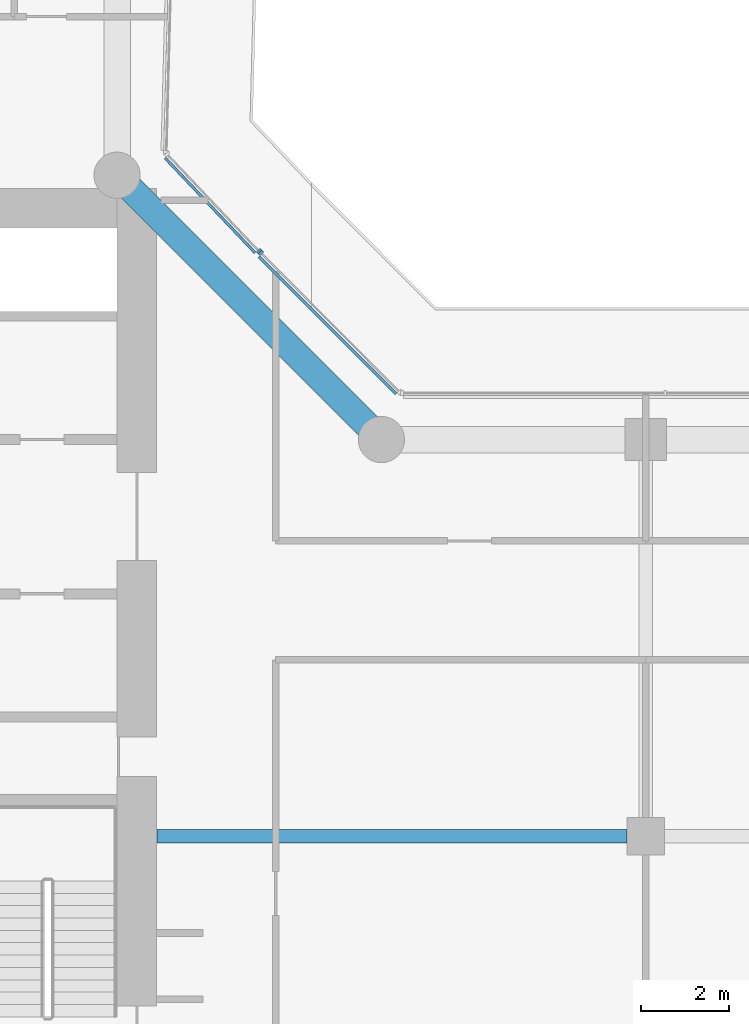
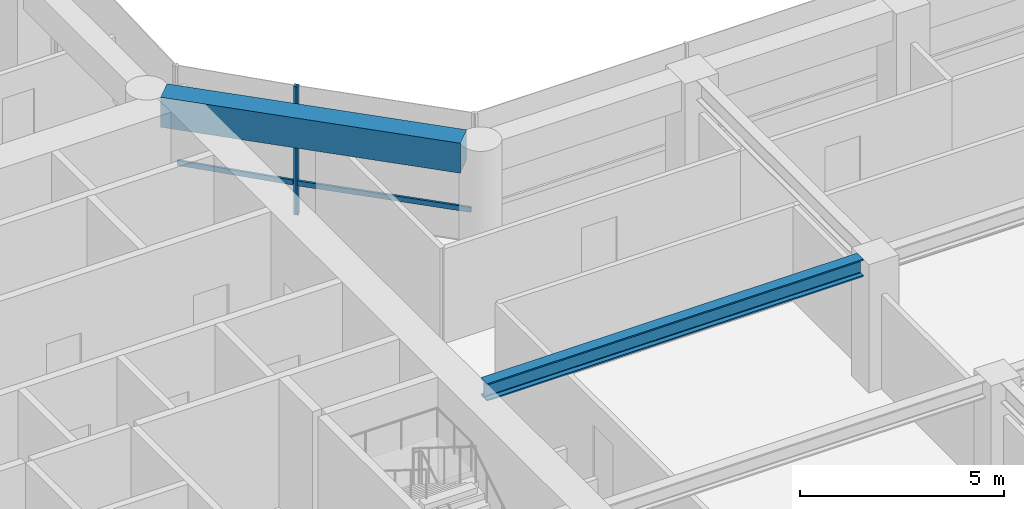
# One storey, part 6 of 28: 4 members, 2 beams, 2 elements without a shape of their own.
"""IFC4 building model written with IfcOpenShell, lengths in metres."""

from ifc_helpers import new_model, si_unit, direction, frame, origin, origin_2d, place, context, subcontext, project, spatial, rectangle, i_section, extrude, material, layer, layer_set, material_profile, profile_set, type_object, element, aggregate, save


model = new_model("IFC4")

# Units and contexts
model_context = context("Model", 3, precision=1e-05, world=origin(), true_north=direction((0.0, 1.0)))
body_context = subcontext(model_context, "Body", "Model", "MODEL_VIEW")
ifc_project = project(units=[si_unit("LENGTHUNIT", "METRE"), si_unit("AREAUNIT", "SQUARE_METRE"), si_unit("VOLUMEUNIT", "CUBIC_METRE"), si_unit("PLANEANGLEUNIT", "RADIAN"), si_unit("MASSUNIT", "GRAM", prefix="KILO")], contexts=[model_context])

# Site, building, storey
site_placement = place(None, origin())
site = spatial("IfcSite", under=ifc_project, at=site_placement, CompositionType="ELEMENT")
building_placement = place(site_placement, origin())
building = spatial("IfcBuilding", under=site, at=building_placement, Name="Welwitschia Terrace Campus", CompositionType="ELEMENT")
storey_placement = place(building_placement, frame((0.0, 0.0, 45.800048828125)))
storey = spatial("IfcBuildingStorey", under=building, at=storey_placement, Name="L10", CompositionType="ELEMENT", Elevation=45.800048828125)

# Beam
ifc_material_1 = material(Name="Steel S355", Category="steel")
ifc_material_profile_1 = material_profile(ifc_material_1, i_section(OverallWidth=0.305908203125, OverallDepth=0.52392578125, WebThickness=0.02099609375, FlangeThickness=0.0400390625, FilletRadius=0.027099609375, at=origin_2d()))
ifc_profile_set_1 = profile_set([ifc_material_profile_1], Name="Steel S355")
beam_type_1 = type_object("IfcBeamType", Name="Interior girder HE 500 M", PredefinedType="BEAM", material=ifc_profile_set_1)
beam_1_placement = place(storey_placement, frame((24.90087890625, 11.0, 3.587890625), z_axis=(1.0, 0.0, 0.0), x_axis=(0.0, 1.0, 0.0)))
element("IfcBeam", 1, at=beam_1_placement, inside=storey, type_object=beam_type_1, Name="Girder GB2", PredefinedType="BEAM", context=body_context, shape_type="SweptSolid", body=[
    extrude(i_section(OverallWidth=0.305908203125, OverallDepth=0.52392578125, WebThickness=0.02099609375, FlangeThickness=0.0400390625, FilletRadius=0.027099609375, at=origin_2d()), origin(), (0.0, 0.0, 1.0), 10.673583984375),
])

# Curtain wall, member
ifc_material_2 = material(Name="Bronze anodised aluminium", Category="aluminium")
ifc_layer = layer(ifc_material_2, 0.1201171875)
ifc_layer_set = layer_set([ifc_layer], Name="Bronze anodised aluminium")
curtain_wall_type = type_object("IfcCurtainWallType", Name="Curtain wall CW2 tower 6000", PredefinedType="NOTDEFINED", material=ifc_layer_set)
curtain_wall_1_placement = place(storey_placement, origin())
curtain_wall_1 = element("IfcCurtainWall", 2, at=curtain_wall_1_placement, inside=storey, type_object=curtain_wall_type, Name="CW L10.7.0", PredefinedType="NOTDEFINED")
ifc_material_3 = material(Name="Bronze anodised aluminium", Category="aluminium")
ifc_material_profile_2 = material_profile(ifc_material_3, rectangle(XDim=0.1201171875, YDim=0.06005859375, at=origin_2d()))
ifc_profile_set_2 = profile_set([ifc_material_profile_2], Name="Bronze anodised aluminium")
member_type_1 = type_object("IfcMemberType", Name="Mullion 60x120", PredefinedType="MULLION", material=ifc_profile_set_2)
member_1_placement = place(storey_placement, frame((27.2607421875, 24.235595703125, 0.0), z_axis=(0.0, 0.0, 1.0), x_axis=(-0.707106781187, -0.707106781187, 0.0)))
member_1 = element("IfcMember", 3, at=member_1_placement, type_object=member_type_1, Name="Mullion L10.7.0.1", PredefinedType="MULLION", context=body_context, shape_type="SweptSolid", body=[
    extrude(rectangle(XDim=0.1201171875, YDim=0.06005859375, at=origin_2d()), origin(), (0.0, 0.0, 1.0), 3.849853515625),
])

curtain_wall_2_placement = place(storey_placement, origin())
curtain_wall_2 = element("IfcCurtainWall", 4, at=curtain_wall_2_placement, inside=storey, type_object=curtain_wall_type, Name="CW L10.8.0", PredefinedType="NOTDEFINED")
member_2_placement = place(storey_placement, frame((27.21875, 24.278564453125, 0.0), z_axis=(0.0, 0.0, 1.0), x_axis=(-0.725374371012, -0.688354575694, 0.0)))
member_2 = element("IfcMember", 5, at=member_2_placement, type_object=member_type_1, Name="Mullion L10.8.0.0", PredefinedType="MULLION", context=body_context, shape_type="SweptSolid", body=[
    extrude(rectangle(XDim=0.1201171875, YDim=0.06005859375, at=origin_2d()), origin(), (0.0, 0.0, 1.0), 3.849853515625),
])

# Beam
ifc_material_4 = material(Name="Concrete C60/75", Category="concrete")
ifc_material_profile_3 = material_profile(ifc_material_4, rectangle(XDim=0.60009765625, YDim=0.89990234375, at=origin_2d()))
ifc_profile_set_3 = profile_set([ifc_material_profile_3], Name="Concrete C60/75")
beam_type_2 = type_object("IfcBeamType", Name="Ring spandrel 600x900", PredefinedType="SPANDREL", material=ifc_profile_set_3)
beam_2_placement = place(storey_placement, frame((29.69482421875, 20.30517578125, 3.39990234375), z_axis=(-0.707106781187, 0.707106781187, 0.0), x_axis=(-0.707106781187, -0.707106781187, 0.0)))
element("IfcBeam", 6, at=beam_2_placement, inside=storey, type_object=beam_type_2, Name="Spandrel SP2", PredefinedType="SPANDREL", context=body_context, shape_type="SweptSolid", body=[
    extrude(rectangle(XDim=0.60009765625, YDim=0.89990234375, at=origin_2d()), origin(), (0.0, 0.0, 1.0), 7.6220703125),
])

# Member
ifc_material_5 = material(Name="Bronze anodised aluminium", Category="aluminium")
ifc_material_profile_4 = material_profile(ifc_material_5, rectangle(XDim=0.06005859375, YDim=0.14990234375, at=origin_2d()))
ifc_profile_set_4 = profile_set([ifc_material_profile_4], Name="Bronze anodised aluminium")
member_type_2 = type_object("IfcMemberType", Name="Transom 60x150", PredefinedType="USERDEFINED", material=ifc_profile_set_4)
member_3_placement = place(storey_placement, frame((30.332275390625, 21.036865234375, 1.0), z_axis=(-0.707134500537, 0.707079060749, 0.0), x_axis=(-0.707079060749, -0.707134500537, 0.0)))
member_3 = element("IfcMember", 7, at=member_3_placement, type_object=member_type_2, Name="Transom L10.7.0", ObjectType="TRANSOM", PredefinedType="USERDEFINED", context=body_context, shape_type="SweptSolid", body=[
    extrude(rectangle(XDim=0.06005859375, YDim=0.14990234375, at=origin_2d()), origin(), (0.0, 0.0, 1.0), 4.40380859375),
])

aggregate(curtain_wall_1, [member_1, member_3])

member_4_placement = place(storey_placement, frame((27.1328125, 24.23828125, 1.0), z_axis=(-0.688344843173, 0.725383606706, 0.0), x_axis=(-0.725383606706, -0.688344843173, 0.0)))
member_4 = element("IfcMember", 8, at=member_4_placement, type_object=member_type_2, Name="Transom L10.8.0", ObjectType="TRANSOM", PredefinedType="USERDEFINED", context=body_context, shape_type="SweptSolid", body=[
    extrude(rectangle(XDim=0.06005859375, YDim=0.14990234375, at=origin_2d()), origin(), (0.0, 0.0, 1.0), 2.966064453125),
])

aggregate(curtain_wall_2, [member_2, member_4])

save(model, "model.ifc")
